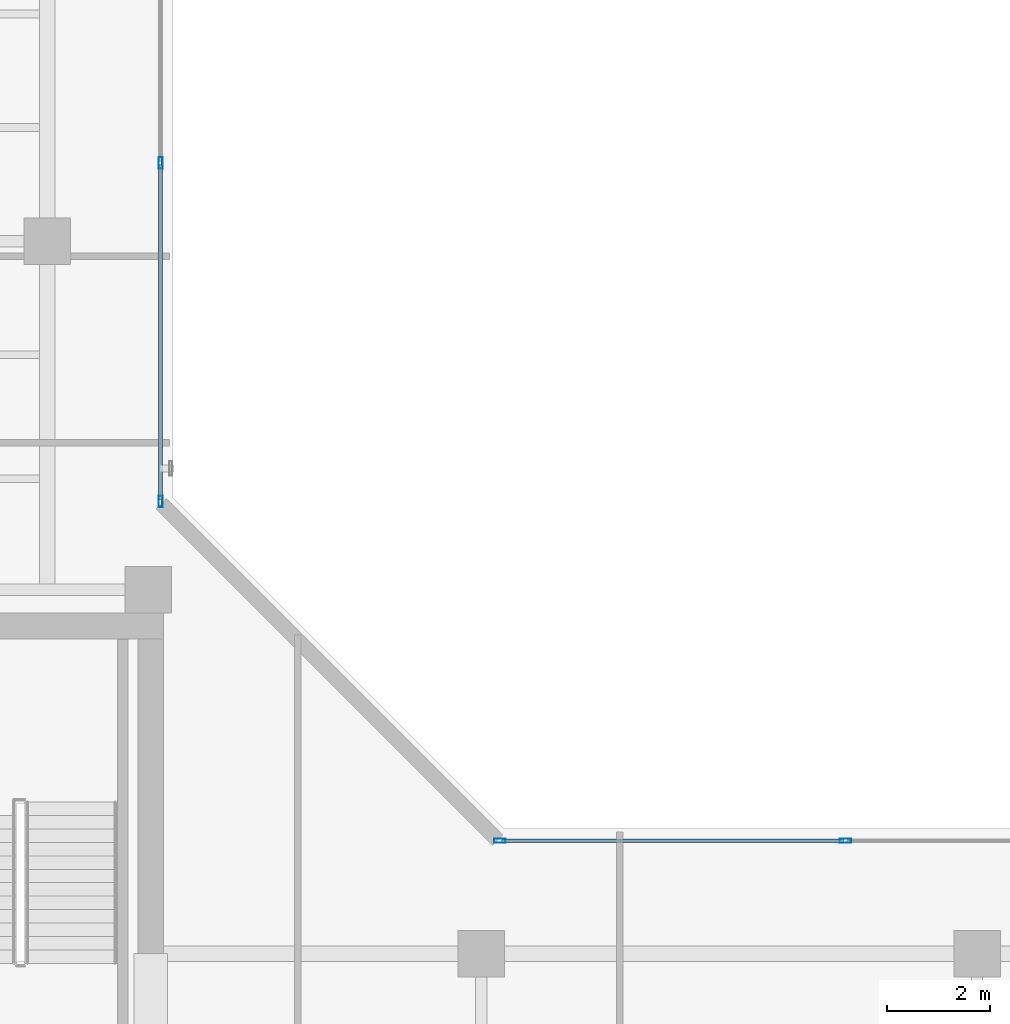
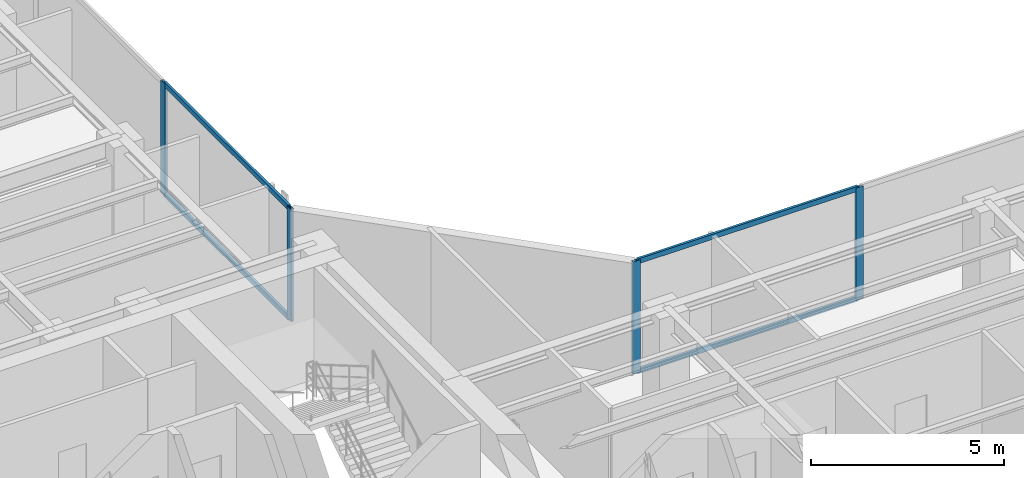
# One storey, part 10 of 22: 8 members, 2 elements without a shape of their own.
"""IFC4 building model written with IfcOpenShell, lengths in metres."""

from ifc_helpers import new_model, si_unit, direction, frame, origin, origin_with_axes, origin_2d, place, context, subcontext, project, spatial, hollow_rectangle, extrude, source, transform, mapped, material, layer, layer_set, material_profile, profile_set, type_object, element, aggregate, save


model = new_model("IFC4")

# Units and contexts
model_context = context("Model", 3, precision=1e-05, world=origin(), true_north=direction((0.0, 1.0)))
body_context = subcontext(model_context, "Body", "Model", "MODEL_VIEW")
ifc_project = project(units=[si_unit("LENGTHUNIT", "METRE"), si_unit("AREAUNIT", "SQUARE_METRE"), si_unit("VOLUMEUNIT", "CUBIC_METRE"), si_unit("PLANEANGLEUNIT", "RADIAN"), si_unit("MASSUNIT", "GRAM", prefix="KILO")], contexts=[model_context])

# Site, building, storey
site_placement = place(None, origin())
site = spatial("IfcSite", under=ifc_project, at=site_placement, CompositionType="ELEMENT")
building_placement = place(site_placement, origin())
building = spatial("IfcBuilding", under=site, at=building_placement, Name="Kolvaren Waterfront Exchange", CompositionType="ELEMENT")
storey_placement = place(building_placement, frame((0.0, 0.0, 323.60009765625)))
storey = spatial("IfcBuildingStorey", under=building, at=storey_placement, Name="L83", CompositionType="ELEMENT", Elevation=323.60009765625)

# Curtain wall, members
ifc_material_1 = material(Name="Anodised bronze aluminium 6063-T6", Category="aluminium")
ifc_layer = layer(ifc_material_1, 0.219970703125, Name="Anodised bronze aluminium 6063-T6")
ifc_layer_set = layer_set([ifc_layer], Name="Anodised bronze aluminium 6063-T6")
curtain_wall_type = type_object("IfcCurtainWallType", Name="ARC-CW-SYS1", PredefinedType="USERDEFINED", material=ifc_layer_set)
curtain_wall_1_placement = place(storey_placement, origin())
curtain_wall_1 = element("IfcCurtainWall", 1, at=curtain_wall_1_placement, inside=storey, type_object=curtain_wall_type, Name="L83 stick curtain wall CW1 (CW-L83-NE)", ObjectType="STICK CURTAIN WALL", PredefinedType="USERDEFINED")
ifc_material_2 = material(Name="Anodised aluminium 6063-T6", Category="aluminium")
ifc_material_profile_1 = material_profile(ifc_material_2, hollow_rectangle(XDim=0.080078125, YDim=0.219970703125, WallThickness=0.0048828125, at=origin_2d()), Name="ALU-MUL-220x80x5")
ifc_profile_set_1 = profile_set([ifc_material_profile_1], Name="Anodised aluminium 6063-T6")
member_type_1 = type_object("IfcMemberType", Name="ARC-CWM-220", PredefinedType="MULLION", material=ifc_profile_set_1)
shared_shape_1 = source(origin_with_axes(), body_context, "Body", "SweptSolid", [
    extrude(hollow_rectangle(XDim=0.080078125, YDim=0.219970703125, WallThickness=0.0048828125, at=origin_2d()), origin(), (0.0, 0.0, 1.0), 3.559814453125),
])
member_1_placement = place(storey_placement, frame((20.99169921875, 26.16162109375, 0.0), z_axis=(0.0, 0.0, 1.0), x_axis=(-1.0, 0.0, 0.0)))
member_1 = element("IfcMember", 2, at=member_1_placement, type_object=member_type_1, Name="CW1 mullion 1", PredefinedType="MULLION", context=body_context, shape_type="MappedRepresentation", body=[
    mapped(shared_shape_1, transform((0.0, 0.0, 0.0), x_axis=(1.0, 0.0, 0.0), y_axis=(0.0, 1.0, 0.0), z_axis=(0.0, 0.0, 1.0), scale=1.0)),
])
member_2_placement = place(storey_placement, frame((20.99169921875, 32.718017578125, 0.0), z_axis=(0.0, 0.0, 1.0), x_axis=(-1.0, 0.0, 0.0)))
member_2 = element("IfcMember", 3, at=member_2_placement, type_object=member_type_1, Name="CW1 mullion 2", PredefinedType="MULLION", context=body_context, shape_type="MappedRepresentation", body=[
    mapped(shared_shape_1, transform((0.0, 0.0, 0.0), x_axis=(1.0, 0.0, 0.0), y_axis=(0.0, 1.0, 0.0), z_axis=(0.0, 0.0, 1.0), scale=1.0)),
])

curtain_wall_2_placement = place(storey_placement, origin())
curtain_wall_2 = element("IfcCurtainWall", 4, at=curtain_wall_2_placement, inside=storey, type_object=curtain_wall_type, Name="L83 stick curtain wall CW1 (CW-L83-EN)", ObjectType="STICK CURTAIN WALL", PredefinedType="USERDEFINED")
member_3_placement = place(storey_placement, frame((27.5615234375, 19.591552734375, 0.0), z_axis=(0.0, 0.0, 1.0), x_axis=(0.0, 1.0, 0.0)))
member_3 = element("IfcMember", 5, at=member_3_placement, type_object=member_type_1, Name="CW1 mullion 1", PredefinedType="MULLION", context=body_context, shape_type="MappedRepresentation", body=[
    mapped(shared_shape_1, transform((0.0, 0.0, 0.0), x_axis=(1.0, 0.0, 0.0), y_axis=(0.0, 1.0, 0.0), z_axis=(0.0, 0.0, 1.0), scale=1.0)),
])
member_4_placement = place(storey_placement, frame((34.251220703125, 19.591552734375, 0.0), z_axis=(0.0, 0.0, 1.0), x_axis=(0.0, 1.0, 0.0)))
member_4 = element("IfcMember", 6, at=member_4_placement, type_object=member_type_1, Name="CW1 mullion 2", PredefinedType="MULLION", context=body_context, shape_type="MappedRepresentation", body=[
    mapped(shared_shape_1, transform((0.0, 0.0, 0.0), x_axis=(1.0, 0.0, 0.0), y_axis=(0.0, 1.0, 0.0), z_axis=(0.0, 0.0, 1.0), scale=1.0)),
])

# Member
ifc_material_profile_2 = material_profile(ifc_material_2, hollow_rectangle(XDim=0.074951171875, YDim=0.159912109375, WallThickness=0.00439453125, at=origin_2d()), Name="ALU-TRN-160x75x4.5")
ifc_profile_set_2 = profile_set([ifc_material_profile_2], Name="Anodised aluminium 6063-T6")
member_type_2 = type_object("IfcMemberType", Name="ARC-CWT-160", PredefinedType="USERDEFINED", material=ifc_profile_set_2)
shared_shape_2 = source(origin_with_axes(), body_context, "Body", "SweptSolid", [
    extrude(hollow_rectangle(XDim=0.074951171875, YDim=0.159912109375, WallThickness=0.00439453125, at=origin_2d()), origin(), (0.0, 0.0, 1.0), 6.476318359375),
])
member_5_placement = place(storey_placement, frame((20.99169921875, 26.20166015625, 0.037353515625), z_axis=(0.0, 1.0, 0.0), x_axis=(-1.0, 0.0, 0.0)))
member_5 = element("IfcMember", 7, at=member_5_placement, type_object=member_type_2, Name="CW1 transom 1.1", ObjectType="TRANSOM", PredefinedType="USERDEFINED", context=body_context, shape_type="MappedRepresentation", body=[
    mapped(shared_shape_2, transform((0.0, 0.0, 0.0), x_axis=(1.0, 0.0, 0.0), y_axis=(0.0, 1.0, 0.0), z_axis=(0.0, 0.0, 1.0), scale=1.0)),
])

member_6_placement = place(storey_placement, frame((20.99169921875, 26.20166015625, 3.5224609375), z_axis=(0.0, 1.0, 0.0), x_axis=(-1.0, 0.0, 0.0)))
member_6 = element("IfcMember", 8, at=member_6_placement, type_object=member_type_2, Name="CW1 transom 1.2", ObjectType="TRANSOM", PredefinedType="USERDEFINED", context=body_context, shape_type="MappedRepresentation", body=[
    mapped(shared_shape_2, transform((0.0, 0.0, 0.0), x_axis=(1.0, 0.0, 0.0), y_axis=(0.0, 1.0, 0.0), z_axis=(0.0, 0.0, 1.0), scale=1.0)),
])

aggregate(curtain_wall_1, [member_1, member_2, member_5, member_6])

shared_shape_3 = source(origin_with_axes(), body_context, "Body", "SweptSolid", [
    extrude(hollow_rectangle(XDim=0.074951171875, YDim=0.159912109375, WallThickness=0.00439453125, at=origin_2d()), origin(), (0.0, 0.0, 1.0), 6.609619140625),
])
member_7_placement = place(storey_placement, frame((27.6015625, 19.591552734375, 0.037353515625), z_axis=(1.0, 0.0, 0.0), x_axis=(0.0, 1.0, 0.0)))
member_7 = element("IfcMember", 9, at=member_7_placement, type_object=member_type_2, Name="CW1 transom 1.1", ObjectType="TRANSOM", PredefinedType="USERDEFINED", context=body_context, shape_type="MappedRepresentation", body=[
    mapped(shared_shape_3, transform((0.0, 0.0, 0.0), x_axis=(1.0, 0.0, 0.0), y_axis=(0.0, 1.0, 0.0), z_axis=(0.0, 0.0, 1.0), scale=1.0)),
])

member_8_placement = place(storey_placement, frame((27.6015625, 19.591552734375, 3.5224609375), z_axis=(1.0, 0.0, 0.0), x_axis=(0.0, 1.0, 0.0)))
member_8 = element("IfcMember", 10, at=member_8_placement, type_object=member_type_2, Name="CW1 transom 1.2", ObjectType="TRANSOM", PredefinedType="USERDEFINED", context=body_context, shape_type="MappedRepresentation", body=[
    mapped(shared_shape_3, transform((0.0, 0.0, 0.0), x_axis=(1.0, 0.0, 0.0), y_axis=(0.0, 1.0, 0.0), z_axis=(0.0, 0.0, 1.0), scale=1.0)),
])

aggregate(curtain_wall_2, [member_3, member_4, member_7, member_8])

save(model, "model.ifc")
